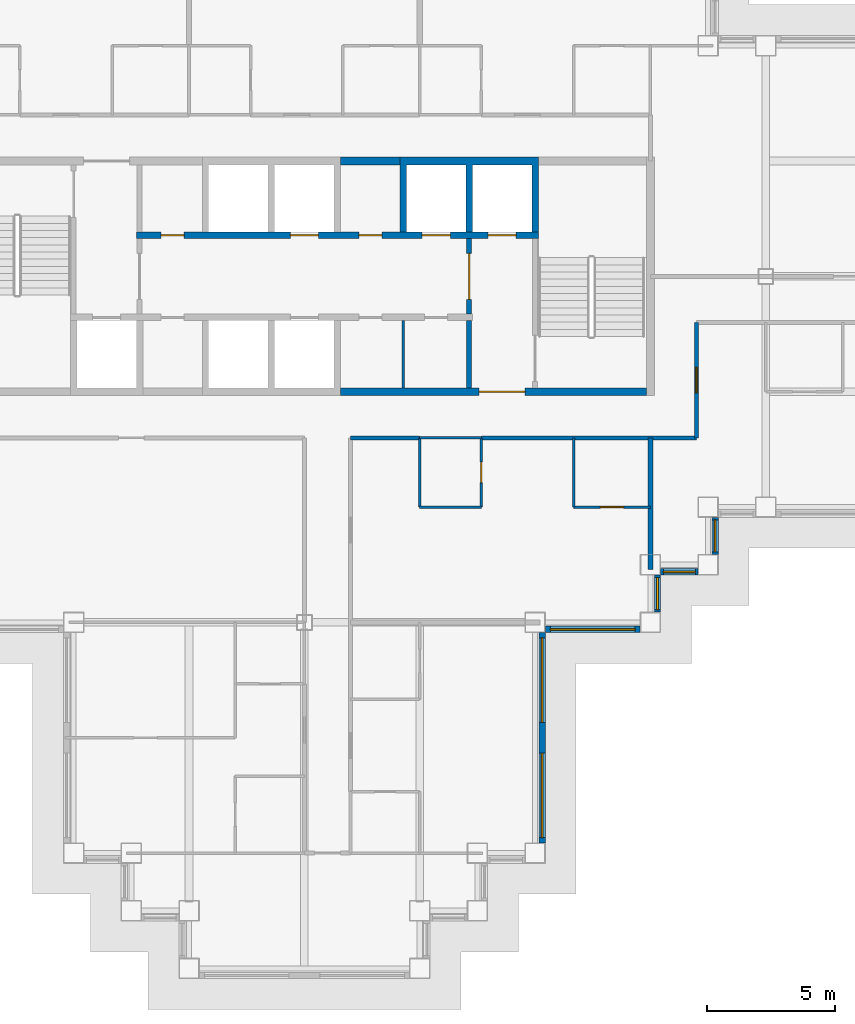
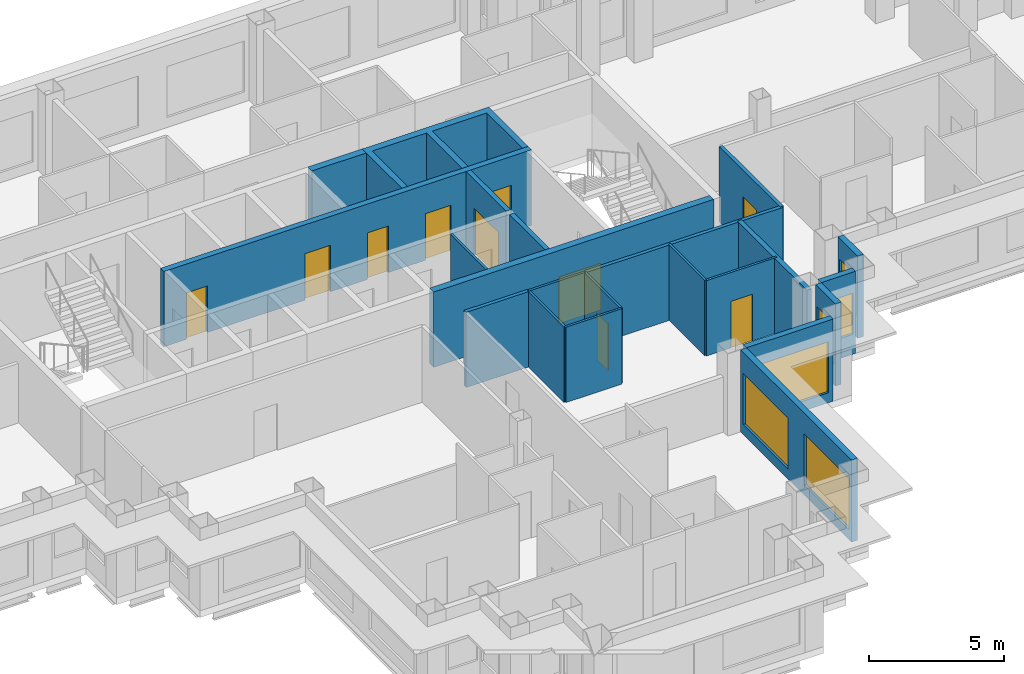
# One storey, part 6 of 13: 22 walls, 10 doors, 6 windows, 16 openings.
"""IFC4 building model written with IfcOpenShell, lengths in metres."""

import ifcopenshell
import ifcopenshell.guid

model = None  # the IFC model being written
_history = None  # IfcOwnerHistory: only IFC2X3 demands one
_inside = {}  # id of a spatial element -> (the spatial element, [elements in it])
_under = {}  # id of a project, library or spatial element -> (it, [spatial elements below it])
_declared = {}  # id of a project -> (the project, [libraries it declares])
_typed = {}  # id of a type object -> (the type object, [elements of that type])
_made_of = {}  # id of a material, layer set ... -> (it, [elements and type objects made of it])


def new_model(schema):
    """Start an empty IFC model of exactly this schema.

    Asked for "IFC4X3", IfcOpenShell would pick the latest addendum, in which some entities
    have other attributes; the version numbers below select the first issue.
    IFC2X3 requires an IfcOwnerHistory on every rooted entity: one is made here for all.
    """
    global model, _history
    if schema == "IFC4X3":
        model = ifcopenshell.file(schema_version=(4, 3, 0, 0))
    else:
        model = ifcopenshell.file(schema=schema)
    _inside.clear()
    _under.clear()
    _declared.clear()
    _typed.clear()
    _made_of.clear()
    _history = None
    if model.schema == "IFC2X3":
        org = make("IfcOrganization", Name="unknown")
        user = make(
            "IfcPersonAndOrganization",
            ThePerson=make("IfcPerson", FamilyName="unknown"),
            TheOrganization=org,
        )
        app = make(
            "IfcApplication",
            ApplicationDeveloper=org,
            Version="unknown",
            ApplicationFullName="unknown",
            ApplicationIdentifier="unknown",
        )
        _history = make(
            "IfcOwnerHistory",
            OwningUser=user,
            OwningApplication=app,
            ChangeAction="ADDED",
            CreationDate=0,
        )
    return model


def make(cls, **values):
    """One entity of the class cls with the attributes given. An attribute that is None is left unset."""
    return model.create_entity(
        cls, **{name: value for name, value in values.items() if value is not None}
    )


def rooted(cls, **values):
    """An entity with a GlobalId (a new one), such as an element, a storey or a relation."""
    return make(cls, GlobalId=ifcopenshell.guid.new(), OwnerHistory=_history, **values)


def si_unit(unit_type, name, prefix=None):
    """IfcSIUnit, for example si_unit("LENGTHUNIT", "METRE", prefix="MILLI")."""
    return make("IfcSIUnit", UnitType=unit_type, Prefix=prefix, Name=name)


def assignment(units):
    """IfcUnitAssignment: the units of a project."""
    return None if units is None else make("IfcUnitAssignment", Units=units)


def point(xyz):
    """IfcCartesianPoint."""
    return None if xyz is None else make("IfcCartesianPoint", Coordinates=xyz)


def direction(xyz):
    """IfcDirection."""
    return None if xyz is None else make("IfcDirection", DirectionRatios=xyz)


def frame(location, z_axis=None, x_axis=None):
    """IfcAxis2Placement3D, a coordinate frame: its origin and axes. An axis left out is left unset."""
    return make(
        "IfcAxis2Placement3D",
        Location=point(location),
        Axis=direction(z_axis),
        RefDirection=direction(x_axis),
    )


def frame_2d(location, x_axis=None):
    """IfcAxis2Placement2D, a coordinate frame in the plane: its origin and x axis."""
    return make(
        "IfcAxis2Placement2D", Location=point(location), RefDirection=direction(x_axis)
    )


def origin():
    """The frame at (0, 0, 0) with its axes left unset."""
    return frame((0.0, 0.0, 0.0))


def place(relative_to, where):
    """IfcLocalPlacement: puts the frame where relative to a parent placement (None: the world)."""
    return make(
        "IfcLocalPlacement", PlacementRelTo=relative_to, RelativePlacement=where
    )


def context(
    kind, dimensions, precision=None, world=None, true_north=None, identifier=None
):
    """IfcGeometricRepresentationContext, for example the 3D "Model" context."""
    return make(
        "IfcGeometricRepresentationContext",
        ContextIdentifier=identifier,
        ContextType=kind,
        CoordinateSpaceDimension=dimensions,
        Precision=precision,
        WorldCoordinateSystem=world,
        TrueNorth=true_north,
    )


def subcontext(parent, identifier, kind, view, scale=None):
    """IfcGeometricRepresentationSubContext, for example "Body" below "Model"."""
    return make(
        "IfcGeometricRepresentationSubContext",
        ContextIdentifier=identifier,
        ContextType=kind,
        ParentContext=parent,
        TargetScale=scale,
        TargetView=view,
    )


def project(units=None, contexts=None):
    """IfcProject with its units and contexts."""
    return rooted(
        "IfcProject",
        Name="project",
        RepresentationContexts=contexts,
        UnitsInContext=assignment(units),
    )


def spatial(cls, under=None, at=None, **own):
    """A site, building, storey or space (cls), placed at a placement, below another one or the project."""
    s = rooted(cls, ObjectPlacement=at, **own)
    if under is not None:
        _under.setdefault(under.id(), (under, []))[1].append(s)
    return s


def polyline(points):
    """IfcPolyline through the points."""
    return make("IfcPolyline", Points=[point(p) for p in points])


def profile(cls, at=None, kind="AREA", **sizes):
    """A parametric profile (cls). Its sizes go by their IFC names, for example OverallWidth=200.0."""
    return make(cls, ProfileType=kind, Position=at, **sizes)


def rectangle(**sizes):
    """IfcRectangleProfileDef."""
    return profile("IfcRectangleProfileDef", **sizes)


def outline(outer, holes=None, kind="AREA"):
    """IfcArbitraryClosedProfileDef: a profile drawn as a closed curve; with holes, ...WithVoids."""
    if holes is None:
        return make("IfcArbitraryClosedProfileDef", ProfileType=kind, OuterCurve=outer)
    return make(
        "IfcArbitraryProfileDefWithVoids",
        ProfileType=kind,
        OuterCurve=outer,
        InnerCurves=holes,
    )


def extrude(swept, where, along, depth):
    """IfcExtrudedAreaSolid: the profile swept, set in the frame where, extruded along a direction by depth."""
    return make(
        "IfcExtrudedAreaSolid",
        SweptArea=swept,
        Position=where,
        ExtrudedDirection=direction(along),
        Depth=depth,
    )


def shape(context_of_items, identifier, shape_type, items):
    """IfcShapeRepresentation: the items that make up one representation, for example the "Body"."""
    return make(
        "IfcShapeRepresentation",
        ContextOfItems=context_of_items,
        RepresentationIdentifier=identifier,
        RepresentationType=shape_type,
        Items=items,
    )


def material(Name=None, Category=None):
    """IfcMaterial."""
    return make("IfcMaterial", Name=Name, Category=Category)


def layer(
    of_material, thickness, ventilated=None, Name=None, Category=None, Priority=None
):
    """IfcMaterialLayer: one layer of a wall or slab, of a material (None: an air gap)."""
    return make(
        "IfcMaterialLayer",
        Material=of_material,
        LayerThickness=thickness,
        IsVentilated=ventilated,
        Name=Name,
        Category=Category,
        Priority=Priority,
    )


def layer_set(layers, Name=None):
    """IfcMaterialLayerSet."""
    return make("IfcMaterialLayerSet", MaterialLayers=layers, LayerSetName=Name)


def made_of(thing, what):
    """Note that an element or type object is made of a material, layer set ...; save() writes the relation."""
    if what is not None:
        _made_of.setdefault(what.id(), (what, []))[1].append(thing)
    return thing


def type_object(cls, material=None, **own):
    """A type object (cls), such as IfcWallType, which elements share."""
    return made_of(rooted(cls, **own), material)


def element(
    cls,
    number,
    at=None,
    inside=None,
    cuts=None,
    type_object=None,
    material=None,
    context=None,
    identifier="Body",
    shape_type=None,
    held_by="IfcProductDefinitionShape",
    body=None,
    shapes=None,
    **own,
):
    """One element of the class cls, such as IfcWall. Its Tag is "e" and its number.

    at: its placement. inside: the storey or other place that contains it. cuts: it is an
    opening in that element (IfcRelVoidsElement). A single representation is given by context,
    identifier, shape_type and body (its items); several are given by shapes. held_by: the class
    of the entity that holds the representations. save() writes the other relations.
    """
    e = rooted(cls, Tag="e%d" % number, ObjectPlacement=at, **own)
    if body is not None:
        shapes = [shape(context, identifier, shape_type, body)]
    if shapes is not None:
        e.Representation = make(held_by, Representations=shapes)
    if inside is not None:
        _inside.setdefault(inside.id(), (inside, []))[1].append(e)
    if cuts is not None:
        rooted(
            "IfcRelVoidsElement", RelatingBuildingElement=cuts, RelatedOpeningElement=e
        )
    if type_object is not None:
        _typed.setdefault(type_object.id(), (type_object, []))[1].append(e)
    return made_of(e, material)


def fill(opening, filler):
    """IfcRelFillsElement: the door or window that sits in an opening."""
    return rooted(
        "IfcRelFillsElement",
        RelatingOpeningElement=opening,
        RelatedBuildingElement=filler,
    )


def aggregate(whole, parts):
    """IfcRelAggregates: a whole, such as a stair, and the parts it consists of."""
    return rooted("IfcRelAggregates", RelatingObject=whole, RelatedObjects=parts)


def save(model, path):
    """Write the relations noted so far, then the file.

    IfcRelAggregates (storeys below a building ...), IfcRelContainedInSpatialStructure (elements
    in a storey), IfcRelDefinesByType, IfcRelAssociatesMaterial and IfcRelDeclares: one each for
    every whole, place, type object, material and project.
    """
    for whole, parts in _under.values():
        aggregate(whole, parts)
    for where, things in _inside.values():
        rooted(
            "IfcRelContainedInSpatialStructure",
            RelatedElements=things,
            RelatingStructure=where,
        )
    for kind, things in _typed.values():
        rooted("IfcRelDefinesByType", RelatedObjects=things, RelatingType=kind)
    for what, things in _made_of.values():
        rooted("IfcRelAssociatesMaterial", RelatedObjects=things, RelatingMaterial=what)
    for by, libraries in _declared.values():
        rooted("IfcRelDeclares", RelatingContext=by, RelatedDefinitions=libraries)
    model.write(path)


model = new_model("IFC4")

# Units and contexts
model_context = context("Model", 3, precision=1e-05, world=origin(), true_north=direction((0.0, 1.0)))
body_context = subcontext(model_context, "Body", "Model", "MODEL_VIEW")
ifc_project = project(units=[si_unit("LENGTHUNIT", "METRE"), si_unit("AREAUNIT", "SQUARE_METRE"), si_unit("VOLUMEUNIT", "CUBIC_METRE"), si_unit("PLANEANGLEUNIT", "RADIAN"), si_unit("MASSUNIT", "GRAM", prefix="KILO")], contexts=[model_context])

# Site, building, storey
site_placement = place(None, origin())
site = spatial("IfcSite", under=ifc_project, at=site_placement, CompositionType="ELEMENT")
building_placement = place(site_placement, origin())
building = spatial("IfcBuilding", under=site, at=building_placement, Name="Caravel Reach Hotel and Residences", CompositionType="ELEMENT")
storey_placement = place(building_placement, frame((0.0, 0.0, 158.0)))
storey = spatial("IfcBuildingStorey", under=building, at=storey_placement, Name="L39", CompositionType="ELEMENT", Elevation=158.0)

# Walls
ifc_material_1 = material(Name="Gypsum board on steel stud", Category="steel")
ifc_layer_1 = layer(ifc_material_1, 0.10009765625)
ifc_layer_set_1 = layer_set([ifc_layer_1], Name="Bathroom pod wall 100 mm")
wall_type_1 = type_object("IfcWallType", Name="Bathroom pod wall 100 mm", PredefinedType="PARTITIONING", material=ifc_layer_set_1)
for number, where, z_axis, x_axis, name in (
    (1, (36.0, 18.0, 0.0), (0.0, 0.0, 1.0), (1.0, 0.0, 0.0), "L39 wall w082"),
    (2, (36.0, 20.699951171875, 0.0), (0.0, 0.0, 1.0), (1.0, 0.0, 0.0), "L39 wall w083"),
):
    element("IfcWall", number, at=place(storey_placement, frame(where, z_axis=z_axis, x_axis=x_axis)), inside=storey, type_object=wall_type_1, Name=name, PredefinedType="PARTITIONING", context=body_context, shape_type="SweptSolid", body=[
        extrude(rectangle(XDim=2.39990234375, YDim=0.10009765625, at=frame_2d((1.199951171875, 0.0))), origin(), (0.0, 0.0, 1.0), 3.39990234375),
    ])
wall_1_placement = place(storey_placement, frame((36.0, 18.0, 0.0), z_axis=(0.0, 0.0, 1.0), x_axis=(0.0, 1.0, 0.0)))
element("IfcWall", 3, at=wall_1_placement, inside=storey, type_object=wall_type_1, Name="L39 wall w107", PredefinedType="PARTITIONING", context=body_context, shape_type="SweptSolid", body=[
    extrude(rectangle(XDim=2.698974609375, YDim=0.10009765625, at=frame_2d((1.349609375, 0.0))), origin(), (0.0, 0.0, 1.0), 3.39990234375),
])

# Wall, opening, door
wall_2_placement = place(storey_placement, frame((38.39990234375, 18.0, 0.0), z_axis=(0.0, 0.0, 1.0), x_axis=(0.0, 1.0, 0.0)))
wall_2 = element("IfcWall", 4, at=wall_2_placement, inside=storey, type_object=wall_type_1, Name="L39 wall w109", PredefinedType="PARTITIONING", context=body_context, shape_type="SweptSolid", body=[
    extrude(rectangle(XDim=2.699951171875, YDim=0.10009765625, at=frame_2d((1.35009765625, 0.0))), origin(), (0.0, 0.0, 1.0), 3.39990234375),
])
opening_1_placement = place(wall_2_placement, frame((0.949951171875, 0.0, 0.0)))
opening_1 = element("IfcOpeningElement", 5, at=opening_1_placement, cuts=wall_2, Name="Opening D39-037", PredefinedType="OPENING", context=body_context, shape_type="SweptSolid", body=[
    extrude(rectangle(XDim=0.800048828125, YDim=2.10009765625, at=frame_2d((0.39990234375, 1.050048828125))), frame((0.0, 0.06005859375, 0.0), z_axis=(0.0, -1.0, 0.0), x_axis=(1.0, 0.0, 0.0)), (0.0, 0.0, 1.0), 0.1201171875),
])
ifc_material_2 = material(Name="Timber and steel door leaf", Category="steel")
door_type_1 = type_object("IfcDoorType", Name="Bathroom door 800 x 2100", OperationType="SINGLE_SWING_LEFT", PredefinedType="DOOR", material=ifc_material_2)
door_1_placement = place(opening_1_placement, origin())
door_1 = element("IfcDoor", 6, at=door_1_placement, inside=storey, type_object=door_type_1, Name="door D39-037", OperationType="SINGLE_SWING_RIGHT", OverallHeight=2.10009765625, OverallWidth=0.800048828125, PredefinedType="DOOR", context=body_context, shape_type="SweptSolid", body=[
    extrude(rectangle(XDim=0.800048828125, YDim=2.10009765625, at=frame_2d((0.39990234375, 1.050048828125))), frame((0.0, 0.02490234375, 0.0), z_axis=(0.0, -1.0, 0.0), x_axis=(1.0, 0.0, 0.0)), (0.0, 0.0, 1.0), 0.050048828125),
])
fill(opening_1, door_1)

# Wall
ifc_material_3 = material(Name="Autoclaved aerated block wall")
ifc_layer_2 = layer(ifc_material_3, 0.199951171875)
ifc_layer_set_2 = layer_set([ifc_layer_2], Name="Compartment wall 200 mm EI 120")
wall_type_2 = type_object("IfcWallType", Name="Compartment wall 200 mm EI 120", PredefinedType="PARTITIONING", material=ifc_layer_set_2)
wall_3_placement = place(storey_placement, frame((37.928466796875, 22.64990234375, 0.0), z_axis=(0.0, 0.0, 1.0), x_axis=(0.0, 1.0, 0.0)))
element("IfcWall", 7, at=wall_3_placement, inside=storey, type_object=wall_type_2, Name="L39 store partition", PredefinedType="PARTITIONING", context=body_context, shape_type="SweptSolid", body=[
    extrude(rectangle(XDim=2.625, YDim=0.199951171875, at=frame_2d((1.3125, 0.0))), origin(), (0.0, 0.0, 1.0), 3.39990234375),
])

# Wall, opening, door
ifc_material_4 = material(Name="Concrete C60", Category="concrete")
ifc_layer_3 = layer(ifc_material_4, 0.300048828125)
ifc_layer_set_3 = layer_set([ifc_layer_3], Name="Core wall 300 mm EI 120")
wall_type_3 = type_object("IfcWallType", Name="Core wall 300 mm EI 120", PredefinedType="SHEAR", material=ifc_layer_set_3)
wall_4_placement = place(storey_placement, frame((32.91064453125, 22.5, 0.0), z_axis=(0.0, 0.0, 1.0), x_axis=(1.0, 0.0, 0.0)))
wall_4 = element("IfcWall", 8, at=wall_4_placement, inside=storey, type_object=wall_type_3, Name="L39 core wall S3", PredefinedType="SHEAR", context=body_context, shape_type="SweptSolid", body=[
    extrude(rectangle(XDim=11.939453125, YDim=0.300048828125, at=frame_2d((5.9697265625, 0.0))), origin(), (0.0, 0.0, 1.0), 3.39990234375),
])
opening_2_placement = place(wall_4_placement, frame((5.403564453125, 0.0, 0.0)))
opening_2 = element("IfcOpeningElement", 9, at=opening_2_placement, cuts=wall_4, Name="Opening D39-016", PredefinedType="OPENING", context=body_context, shape_type="SweptSolid", body=[
    extrude(rectangle(XDim=1.800048828125, YDim=2.10009765625, at=frame_2d((0.89990234375, 1.050048828125))), frame((0.0, 0.159912109375, 0.0), z_axis=(0.0, -1.0, 0.0), x_axis=(1.0, 0.0, 0.0)), (0.0, 0.0, 1.0), 0.320068359375),
])
ifc_material_5 = material(Name="Steel fire door leaf", Category="steel")
door_type_2 = type_object("IfcDoorType", Name="Fire lobby door pair 1800 x 2100 EI 90", OperationType="DOUBLE_DOOR_SINGLE_SWING", PredefinedType="DOOR", material=ifc_material_5)
door_2_placement = place(opening_2_placement, origin())
door_2 = element("IfcDoor", 10, at=door_2_placement, inside=storey, type_object=door_type_2, Name="lobby S door pair to corridor", OperationType="DOUBLE_DOOR_SINGLE_SWING", OverallHeight=2.10009765625, OverallWidth=1.800048828125, PredefinedType="DOOR", context=body_context, shape_type="SweptSolid", body=[
    extrude(rectangle(XDim=1.800048828125, YDim=2.10009765625, at=frame_2d((0.89990234375, 1.050048828125))), frame((0.0, 0.02490234375, 0.0), z_axis=(0.0, -1.0, 0.0), x_axis=(1.0, 0.0, 0.0)), (0.0, 0.0, 1.0), 0.050048828125),
])
fill(opening_2, door_2)

# Walls
wall_5_placement = place(storey_placement, frame((32.91064453125, 31.5, 0.0), z_axis=(0.0, 0.0, 1.0), x_axis=(1.0, 0.0, 0.0)))
element("IfcWall", 11, at=wall_5_placement, inside=storey, type_object=wall_type_3, Name="L39 core wall N2", PredefinedType="SHEAR", context=body_context, shape_type="SweptSolid", body=[
    extrude(rectangle(XDim=2.321533203125, YDim=0.300048828125, at=frame_2d((1.16064453125, 0.0))), origin(), (0.0, 0.0, 1.0), 3.39990234375),
])
ifc_material_6 = material(Name="Gypsum board on steel stud, fire-rated", Category="steel")
ifc_layer_4 = layer(ifc_material_6, 0.14990234375)
ifc_layer_set_4 = layer_set([ifc_layer_4], Name="Corridor wall 150 mm EI 60")
wall_type_4 = type_object("IfcWallType", Name="Corridor wall 150 mm EI 60", PredefinedType="PARTITIONING", material=ifc_layer_set_4)
wall_6_placement = place(storey_placement, frame((33.301025390625, 20.699951171875, 0.0), z_axis=(0.0, 0.0, 1.0), x_axis=(1.0, 0.0, 0.0)))
element("IfcWall", 12, at=wall_6_placement, inside=storey, type_object=wall_type_4, Name="L39 wall w002", PredefinedType="PARTITIONING", context=body_context, shape_type="SweptSolid", body=[
    extrude(rectangle(XDim=2.697998046875, YDim=0.14990234375, at=frame_2d((1.34912109375, 0.0))), origin(), (0.0, 0.0, 1.0), 3.39990234375),
])
wall_7_placement = place(storey_placement, frame((38.39990234375, 20.699951171875, 0.0), z_axis=(0.0, 0.0, 1.0), x_axis=(1.0, 0.0, 0.0)))
element("IfcWall", 13, at=wall_7_placement, inside=storey, type_object=wall_type_4, Name="L39 wall w003", PredefinedType="PARTITIONING", context=body_context, shape_type="SweptSolid", body=[
    extrude(rectangle(XDim=8.400146484375, YDim=0.14990234375, at=frame_2d((4.2001953125, 0.0))), origin(), (0.0, 0.0, 1.0), 3.39990234375),
])

# Wall, opening, door
wall_8_placement = place(storey_placement, frame((46.800048828125, 20.699951171875, 0.0), z_axis=(0.0, 0.0, 1.0), x_axis=(0.0, 1.0, 0.0)))
wall_8 = element("IfcWall", 14, at=wall_8_placement, inside=storey, type_object=wall_type_4, Name="L39 wall w032", PredefinedType="PARTITIONING", context=body_context, shape_type="SweptSolid", body=[
    extrude(rectangle(XDim=4.4990234375, YDim=0.14990234375, at=frame_2d((2.24951171875, 0.0))), origin(), (0.0, 0.0, 1.0), 3.39990234375),
])
opening_3_placement = place(wall_8_placement, frame((1.74951171875, 0.0, 0.0)))
opening_3 = element("IfcOpeningElement", 15, at=opening_3_placement, cuts=wall_8, Name="Opening D39-031", PredefinedType="OPENING", context=body_context, shape_type="SweptSolid", body=[
    extrude(rectangle(XDim=1.0, YDim=2.199951171875, at=frame_2d((0.5, 1.10009765625))), frame((0.0, 0.0849609375, 0.0), z_axis=(0.0, -1.0, 0.0), x_axis=(1.0, 0.0, 0.0)), (0.0, 0.0, 1.0), 0.169921875),
])
ifc_material_7 = material(Name="Steel fire door leaf", Category="steel")
door_type_3 = type_object("IfcDoorType", Name="Flat entrance door 1000 x 2200 EI 60", OperationType="SINGLE_SWING_LEFT", PredefinedType="DOOR", material=ifc_material_7)
door_3_placement = place(opening_3_placement, origin())
door_3 = element("IfcDoor", 16, at=door_3_placement, inside=storey, type_object=door_type_3, Name="door D39-031", OperationType="SINGLE_SWING_LEFT", OverallHeight=2.199951171875, OverallWidth=1.0, PredefinedType="DOOR", context=body_context, shape_type="SweptSolid", body=[
    extrude(rectangle(XDim=1.0, YDim=2.199951171875, at=frame_2d((0.5, 1.10009765625))), frame((0.0, 0.02490234375, 0.0), z_axis=(0.0, -1.0, 0.0), x_axis=(1.0, 0.0, 0.0)), (0.0, 0.0, 1.0), 0.050048828125),
])
fill(opening_3, door_3)

# Wall, openings, windows
ifc_material_8 = material(Name="Insulated rainscreen wall, aluminium cladding", Category="aluminium")
ifc_layer_5 = layer(ifc_material_8, 0.25)
ifc_layer_set_5 = layer_set([ifc_layer_5], Name="EW1 Tower rainscreen wall")
wall_type_5 = type_object("IfcWallType", Name="EW1 Tower rainscreen wall", PredefinedType="SOLIDWALL", material=ifc_layer_set_5)
wall_9_placement = place(storey_placement, frame((40.77490234375, 4.89990234375, 0.0), z_axis=(0.0, 0.0, 1.0), x_axis=(0.0, 1.0, 0.0)))
wall_9 = element("IfcWall", 17, at=wall_9_placement, inside=storey, type_object=wall_type_5, Name="External wall L39 E10.1", PredefinedType="SOLIDWALL", context=body_context, shape_type="SweptSolid", body=[
    extrude(rectangle(XDim=8.2001953125, YDim=0.25, at=frame_2d((4.10009765625, 0.0))), origin(), (0.0, 0.0, 1.0), 3.699951171875),
])
opening_4_placement = place(wall_9_placement, frame((0.199951171875, 0.0, 0.449951171875)))
opening_4 = element("IfcOpeningElement", 18, at=opening_4_placement, cuts=wall_9, Name="Opening WN15", PredefinedType="OPENING", context=body_context, shape_type="SweptSolid", body=[
    extrude(rectangle(XDim=3.300048828125, YDim=2.300048828125, at=frame_2d((1.64990234375, 1.14990234375))), frame((0.0, 0.135009765625, 0.0), z_axis=(0.0, -1.0, 0.0), x_axis=(1.0, 0.0, 0.0)), (0.0, 0.0, 1.0), 0.27001953125),
])
opening_5_placement = place(wall_9_placement, frame((4.699951171875, 0.0, 0.449951171875)))
opening_5 = element("IfcOpeningElement", 19, at=opening_5_placement, cuts=wall_9, Name="Opening WN15", PredefinedType="OPENING", context=body_context, shape_type="SweptSolid", body=[
    extrude(rectangle(XDim=3.300048828125, YDim=2.300048828125, at=frame_2d((1.64990234375, 1.14990234375))), frame((0.0, 0.135009765625, 0.0), z_axis=(0.0, -1.0, 0.0), x_axis=(1.0, 0.0, 0.0)), (0.0, 0.0, 1.0), 0.27001953125),
])
ifc_material_9 = material(Name="Dark low-e glazing in black aluminium frame", Category="aluminium")
window_type_1 = type_object("IfcWindowType", Name="Residence living window 3300 x 2300", PartitioningType="SINGLE_PANEL", PredefinedType="WINDOW", material=ifc_material_9)
window_1_placement = place(opening_4_placement, origin())
window_1 = element("IfcWindow", 20, at=window_1_placement, inside=storey, type_object=window_type_1, Name="Window L39 E10.1.1", OverallHeight=2.300048828125, OverallWidth=3.300048828125, PartitioningType="SINGLE_PANEL", PredefinedType="WINDOW", context=body_context, shape_type="SweptSolid", body=[
    extrude(rectangle(XDim=3.300048828125, YDim=2.300048828125, at=frame_2d((1.64990234375, 1.14990234375))), frame((0.0, 0.030029296875, 0.0), z_axis=(0.0, -1.0, 0.0), x_axis=(1.0, 0.0, 0.0)), (0.0, 0.0, 1.0), 0.06005859375),
])
fill(opening_4, window_1)
window_2_placement = place(opening_5_placement, origin())
window_2 = element("IfcWindow", 21, at=window_2_placement, inside=storey, type_object=window_type_1, Name="Window L39 E10.1.2", OverallHeight=2.300048828125, OverallWidth=3.300048828125, PartitioningType="SINGLE_PANEL", PredefinedType="WINDOW", context=body_context, shape_type="SweptSolid", body=[
    extrude(rectangle(XDim=3.300048828125, YDim=2.300048828125, at=frame_2d((1.64990234375, 1.14990234375))), frame((0.0, 0.030029296875, 0.0), z_axis=(0.0, -1.0, 0.0), x_axis=(1.0, 0.0, 0.0)), (0.0, 0.0, 1.0), 0.06005859375),
])
fill(opening_5, window_2)

# Wall, opening, window
wall_10_placement = place(storey_placement, frame((40.89990234375, 13.22509765625, 0.0), z_axis=(0.0, 0.0, 1.0), x_axis=(1.0, 0.0, 0.0)))
wall_10 = element("IfcWall", 22, at=wall_10_placement, inside=storey, type_object=wall_type_5, Name="External wall L39 S11.1", PredefinedType="SOLIDWALL", context=body_context, shape_type="SweptSolid", body=[
    extrude(rectangle(XDim=3.7001953125, YDim=0.25, at=frame_2d((1.85009765625, 0.0))), origin(), (0.0, 0.0, 1.0), 3.699951171875),
])
opening_6_placement = place(wall_10_placement, frame((0.199951171875, 0.0, 0.449951171875)))
opening_6 = element("IfcOpeningElement", 23, at=opening_6_placement, cuts=wall_10, Name="Opening WN15", PredefinedType="OPENING", context=body_context, shape_type="SweptSolid", body=[
    extrude(rectangle(XDim=3.300048828125, YDim=2.300048828125, at=frame_2d((1.64990234375, 1.14990234375))), frame((0.0, 0.135009765625, 0.0), z_axis=(0.0, -1.0, 0.0), x_axis=(1.0, 0.0, 0.0)), (0.0, 0.0, 1.0), 0.27001953125),
])
window_3_placement = place(opening_6_placement, origin())
window_3 = element("IfcWindow", 24, at=window_3_placement, inside=storey, type_object=window_type_1, Name="Window L39 S11.1.1", OverallHeight=2.300048828125, OverallWidth=3.300048828125, PartitioningType="SINGLE_PANEL", PredefinedType="WINDOW", context=body_context, shape_type="SweptSolid", body=[
    extrude(rectangle(XDim=3.300048828125, YDim=2.300048828125, at=frame_2d((1.64990234375, 1.14990234375))), frame((0.0, 0.030029296875, 0.0), z_axis=(0.0, -1.0, 0.0), x_axis=(1.0, 0.0, 0.0)), (0.0, 0.0, 1.0), 0.06005859375),
])
fill(opening_6, window_3)

wall_11_placement = place(storey_placement, frame((45.27490234375, 13.89990234375, 0.0), z_axis=(0.0, 0.0, 1.0), x_axis=(0.0, 1.0, 0.0)))
wall_11 = element("IfcWall", 25, at=wall_11_placement, inside=storey, type_object=wall_type_5, Name="External wall L39 E12.1", PredefinedType="SOLIDWALL", context=body_context, shape_type="SweptSolid", body=[
    extrude(rectangle(XDim=1.4501953125, YDim=0.25, at=frame_2d((0.72509765625, 0.0))), origin(), (0.0, 0.0, 1.0), 3.699951171875),
])
opening_7_placement = place(wall_11_placement, frame((0.10009765625, 0.0, 0.89990234375)))
opening_7 = element("IfcOpeningElement", 26, at=opening_7_placement, cuts=wall_11, Name="Opening WN13", PredefinedType="OPENING", context=body_context, shape_type="SweptSolid", body=[
    extrude(rectangle(XDim=1.25, YDim=1.85009765625, at=frame_2d((0.625, 0.925048828125))), frame((0.0, 0.135009765625, 0.0), z_axis=(0.0, -1.0, 0.0), x_axis=(1.0, 0.0, 0.0)), (0.0, 0.0, 1.0), 0.27001953125),
])
ifc_material_10 = material(Name="Dark low-e glazing in black aluminium frame", Category="aluminium")
window_type_2 = type_object("IfcWindowType", Name="Residence bedroom window 1250 x 1850", PartitioningType="SINGLE_PANEL", PredefinedType="WINDOW", material=ifc_material_10)
window_4_placement = place(opening_7_placement, origin())
window_4 = element("IfcWindow", 27, at=window_4_placement, inside=storey, type_object=window_type_2, Name="Window L39 E12.1.1", OverallHeight=1.85009765625, OverallWidth=1.25, PartitioningType="SINGLE_PANEL", PredefinedType="WINDOW", context=body_context, shape_type="SweptSolid", body=[
    extrude(rectangle(XDim=1.25, YDim=1.85009765625, at=frame_2d((0.625, 0.925048828125))), frame((0.0, 0.030029296875, 0.0), z_axis=(0.0, -1.0, 0.0), x_axis=(1.0, 0.0, 0.0)), (0.0, 0.0, 1.0), 0.06005859375),
])
fill(opening_7, window_4)

wall_12_placement = place(storey_placement, frame((45.39990234375, 15.47509765625, 0.0), z_axis=(0.0, 0.0, 1.0), x_axis=(1.0, 0.0, 0.0)))
wall_12 = element("IfcWall", 28, at=wall_12_placement, inside=storey, type_object=wall_type_5, Name="External wall L39 S13.1", PredefinedType="SOLIDWALL", context=body_context, shape_type="SweptSolid", body=[
    extrude(rectangle(XDim=1.4501953125, YDim=0.25, at=frame_2d((0.72509765625, 0.0))), origin(), (0.0, 0.0, 1.0), 3.699951171875),
])
opening_8_placement = place(wall_12_placement, frame((0.10009765625, 0.0, 0.89990234375)))
opening_8 = element("IfcOpeningElement", 29, at=opening_8_placement, cuts=wall_12, Name="Opening WN13", PredefinedType="OPENING", context=body_context, shape_type="SweptSolid", body=[
    extrude(rectangle(XDim=1.25, YDim=1.85009765625, at=frame_2d((0.625, 0.925048828125))), frame((0.0, 0.135009765625, 0.0), z_axis=(0.0, -1.0, 0.0), x_axis=(1.0, 0.0, 0.0)), (0.0, 0.0, 1.0), 0.27001953125),
])
window_5_placement = place(opening_8_placement, origin())
window_5 = element("IfcWindow", 30, at=window_5_placement, inside=storey, type_object=window_type_2, Name="Window L39 S13.1.1", OverallHeight=1.85009765625, OverallWidth=1.25, PartitioningType="SINGLE_PANEL", PredefinedType="WINDOW", context=body_context, shape_type="SweptSolid", body=[
    extrude(rectangle(XDim=1.25, YDim=1.85009765625, at=frame_2d((0.625, 0.925048828125))), frame((0.0, 0.030029296875, 0.0), z_axis=(0.0, -1.0, 0.0), x_axis=(1.0, 0.0, 0.0)), (0.0, 0.0, 1.0), 0.06005859375),
])
fill(opening_8, window_5)

wall_13_placement = place(storey_placement, frame((47.52490234375, 16.14990234375, 0.0), z_axis=(0.0, 0.0, 1.0), x_axis=(0.0, 1.0, 0.0)))
wall_13 = element("IfcWall", 31, at=wall_13_placement, inside=storey, type_object=wall_type_5, Name="External wall L39 E14.1", PredefinedType="SOLIDWALL", context=body_context, shape_type="SweptSolid", body=[
    extrude(rectangle(XDim=1.4501953125, YDim=0.25, at=frame_2d((0.72509765625, 0.0))), origin(), (0.0, 0.0, 1.0), 3.699951171875),
])
opening_9_placement = place(wall_13_placement, frame((0.10009765625, 0.0, 0.89990234375)))
opening_9 = element("IfcOpeningElement", 32, at=opening_9_placement, cuts=wall_13, Name="Opening WN13", PredefinedType="OPENING", context=body_context, shape_type="SweptSolid", body=[
    extrude(rectangle(XDim=1.25, YDim=1.85009765625, at=frame_2d((0.625, 0.925048828125))), frame((0.0, 0.135009765625, 0.0), z_axis=(0.0, -1.0, 0.0), x_axis=(1.0, 0.0, 0.0)), (0.0, 0.0, 1.0), 0.27001953125),
])
window_6_placement = place(opening_9_placement, origin())
window_6 = element("IfcWindow", 33, at=window_6_placement, inside=storey, type_object=window_type_2, Name="Window L39 E14.1.1", OverallHeight=1.85009765625, OverallWidth=1.25, PartitioningType="SINGLE_PANEL", PredefinedType="WINDOW", context=body_context, shape_type="SweptSolid", body=[
    extrude(rectangle(XDim=1.25, YDim=1.85009765625, at=frame_2d((0.625, 0.925048828125))), frame((0.0, 0.030029296875, 0.0), z_axis=(0.0, -1.0, 0.0), x_axis=(1.0, 0.0, 0.0)), (0.0, 0.0, 1.0), 0.06005859375),
])
fill(opening_9, window_6)

# Wall, opening, door
ifc_material_11 = material(Name="Autoclaved aerated block wall")
ifc_layer_6 = layer(ifc_material_11, 0.199951171875)
ifc_layer_set_6 = layer_set([ifc_layer_6], Name="Fire lobby wall 200 mm EI 120")
wall_type_6 = type_object("IfcWallType", Name="Fire lobby wall 200 mm EI 120", PredefinedType="PARTITIONING", material=ifc_layer_set_6)
wall_14_placement = place(storey_placement, frame((37.928466796875, 25.52490234375, 0.0), z_axis=(0.0, 0.0, 1.0), x_axis=(0.0, 1.0, 0.0)))
wall_14 = element("IfcWall", 34, at=wall_14_placement, inside=storey, type_object=wall_type_6, Name="L39 lobby E wall", PredefinedType="PARTITIONING", context=body_context, shape_type="SweptSolid", body=[
    extrude(rectangle(XDim=2.9501953125, YDim=0.199951171875, at=frame_2d((1.47509765625, 0.0))), origin(), (0.0, 0.0, 1.0), 3.39990234375),
])
opening_10_placement = place(wall_14_placement, frame((0.574951171875, 0.0, 0.0)))
opening_10 = element("IfcOpeningElement", 35, at=opening_10_placement, cuts=wall_14, Name="Opening D39-014", PredefinedType="OPENING", context=body_context, shape_type="SweptSolid", body=[
    extrude(rectangle(XDim=1.800048828125, YDim=2.10009765625, at=frame_2d((0.89990234375, 1.050048828125))), frame((0.0, 0.10986328125, 0.0), z_axis=(0.0, -1.0, 0.0), x_axis=(1.0, 0.0, 0.0)), (0.0, 0.0, 1.0), 0.219970703125),
])
door_4_placement = place(opening_10_placement, origin())
door_4 = element("IfcDoor", 36, at=door_4_placement, inside=storey, type_object=door_type_2, Name="lobby E door pair", OperationType="DOUBLE_DOOR_SINGLE_SWING", OverallHeight=2.10009765625, OverallWidth=1.800048828125, PredefinedType="DOOR", context=body_context, shape_type="SweptSolid", body=[
    extrude(rectangle(XDim=1.800048828125, YDim=2.10009765625, at=frame_2d((0.89990234375, 1.050048828125))), frame((0.0, 0.02490234375, 0.0), z_axis=(0.0, -1.0, 0.0), x_axis=(1.0, 0.0, 0.0)), (0.0, 0.0, 1.0), 0.050048828125),
])
fill(opening_10, door_4)

# Wall
ifc_material_12 = material(Name="Gypsum board on steel stud", Category="steel")
ifc_layer_7 = layer(ifc_material_12, 0.10009765625)
ifc_layer_set_7 = layer_set([ifc_layer_7], Name="Partition 100 mm")
wall_type_7 = type_object("IfcWallType", Name="Partition 100 mm", PredefinedType="PARTITIONING", material=ifc_layer_set_7)
wall_15_placement = place(storey_placement, frame((35.357177734375, 22.64990234375, 0.0), z_axis=(0.0, 0.0, 1.0), x_axis=(0.0, 1.0, 0.0)))
element("IfcWall", 37, at=wall_15_placement, inside=storey, type_object=wall_type_7, Name="L39 store partition", PredefinedType="PARTITIONING", context=body_context, shape_type="SweptSolid", body=[
    extrude(rectangle(XDim=2.625, YDim=0.10009765625, at=frame_2d((1.3125, 0.0))), origin(), (0.0, 0.0, 1.0), 3.39990234375),
])

# Wall, opening, door
wall_16_placement = place(storey_placement, frame((42.0, 18.0, 0.0), z_axis=(0.0, 0.0, 1.0), x_axis=(1.0, 0.0, 0.0)))
wall_16 = element("IfcWall", 38, at=wall_16_placement, inside=storey, type_object=wall_type_7, Name="L39 wall w036", PredefinedType="PARTITIONING", context=body_context, shape_type="SweptSolid", body=[
    extrude(rectangle(XDim=3.0, YDim=0.10009765625, at=frame_2d((1.5, 0.0))), origin(), (0.0, 0.0, 1.0), 3.39990234375),
])
opening_11_placement = place(wall_16_placement, frame((1.050048828125, 0.0, 0.0)))
opening_11 = element("IfcOpeningElement", 39, at=opening_11_placement, cuts=wall_16, Name="Opening D39-038", PredefinedType="OPENING", context=body_context, shape_type="SweptSolid", body=[
    extrude(rectangle(XDim=0.89990234375, YDim=2.10009765625, at=frame_2d((0.449951171875, 1.050048828125))), frame((0.0, 0.06005859375, 0.0), z_axis=(0.0, -1.0, 0.0), x_axis=(1.0, 0.0, 0.0)), (0.0, 0.0, 1.0), 0.1201171875),
])
ifc_material_13 = material(Name="Timber and steel door leaf", Category="steel")
door_type_4 = type_object("IfcDoorType", Name="Door 900 x 2100 timber", OperationType="SINGLE_SWING_LEFT", PredefinedType="DOOR", material=ifc_material_13)
door_5_placement = place(opening_11_placement, origin())
door_5 = element("IfcDoor", 40, at=door_5_placement, inside=storey, type_object=door_type_4, Name="door D39-038", OperationType="SINGLE_SWING_RIGHT", OverallHeight=2.10009765625, OverallWidth=0.89990234375, PredefinedType="DOOR", context=body_context, shape_type="SweptSolid", body=[
    extrude(rectangle(XDim=0.89990234375, YDim=2.10009765625, at=frame_2d((0.449951171875, 1.050048828125))), frame((0.0, 0.02490234375, 0.0), z_axis=(0.0, -1.0, 0.0), x_axis=(1.0, 0.0, 0.0)), (0.0, 0.0, 1.0), 0.050048828125),
])
fill(opening_11, door_5)

# Walls
wall_17_placement = place(storey_placement, frame((42.0, 18.0, 0.0), z_axis=(0.0, 0.0, 1.0), x_axis=(0.0, 1.0, 0.0)))
element("IfcWall", 41, at=wall_17_placement, inside=storey, type_object=wall_type_7, Name="L39 wall w065", PredefinedType="PARTITIONING", context=body_context, shape_type="SweptSolid", body=[
    extrude(rectangle(XDim=2.699951171875, YDim=0.10009765625, at=frame_2d((1.35009765625, 0.0))), origin(), (0.0, 0.0, 1.0), 3.39990234375),
])
ifc_material_14 = material(Name="Autoclaved aerated block wall")
ifc_layer_8 = layer(ifc_material_14, 0.199951171875)
ifc_layer_set_8 = layer_set([ifc_layer_8], Name="Party wall 200 mm EI 60")
wall_type_8 = type_object("IfcWallType", Name="Party wall 200 mm EI 60", PredefinedType="PARTITIONING", material=ifc_layer_set_8)
wall_18_placement = place(storey_placement, frame((45.0, 15.56005859375, 0.0), z_axis=(0.0, 0.0, 1.0), x_axis=(0.0, 1.0, 0.0)))
element("IfcWall", 42, at=wall_18_placement, inside=storey, type_object=wall_type_8, Name="L39 wall w078", PredefinedType="PARTITIONING", context=body_context, shape_type="SweptSolid", body=[
    extrude(rectangle(XDim=5.138916015625, YDim=0.199951171875, at=frame_2d((2.5693359375, 0.0))), origin(), (0.0, 0.0, 1.0), 3.39990234375),
])
ifc_material_15 = material(Name="Concrete C60", Category="concrete")
ifc_layer_9 = layer(ifc_material_15, 0.25)
ifc_layer_set_9 = layer_set([ifc_layer_9], Name="Shaft wall 250 mm EI 120")
wall_type_9 = type_object("IfcWallType", Name="Shaft wall 250 mm EI 120", PredefinedType="SHEAR", material=ifc_layer_set_9)
wall_19_placement = place(storey_placement, origin())
element("IfcWall", 43, at=wall_19_placement, inside=storey, type_object=wall_type_9, Name="L39 lift shaft wall N2", PredefinedType="SHEAR", context=body_context, shape_type="SweptSolid", body=[
    extrude(outline(polyline([(35.232177734375, 28.72509765625), (35.482177734375, 28.72509765625), (35.482177734375, 31.35009765625), (37.803466796875, 31.35009765625), (37.803466796875, 28.72509765625), (38.053466796875, 28.72509765625), (38.053466796875, 31.35009765625), (40.375, 31.35009765625), (40.375, 28.72509765625), (40.625, 28.72509765625), (40.625, 31.64990234375), (35.232177734375, 31.64990234375), (35.232177734375, 28.72509765625)])), origin(), (0.0, 0.0, 1.0), 3.39990234375),
])

# Wall, openings, doors
wall_20_placement = place(storey_placement, frame((24.946533203125, 28.60009765625, 0.0), z_axis=(0.0, 0.0, 1.0), x_axis=(1.0, 0.0, 0.0)))
wall_20 = element("IfcWall", 44, at=wall_20_placement, inside=storey, type_object=wall_type_9, Name="L39 lobby wall N1", PredefinedType="SHEAR", context=body_context, shape_type="SweptSolid", body=[
    extrude(rectangle(XDim=15.678466796875, YDim=0.25, at=frame_2d((7.83935546875, 0.0))), origin(), (0.0, 0.0, 1.0), 3.39990234375),
])
opening_12_placement = place(wall_20_placement, frame((6.003662109375, 0.0, 0.0)))
opening_12 = element("IfcOpeningElement", 45, at=opening_12_placement, cuts=wall_20, Name="Opening D39-002", PredefinedType="OPENING", context=body_context, shape_type="SweptSolid", body=[
    extrude(rectangle(XDim=1.10009765625, YDim=2.10009765625, at=frame_2d((0.550048828125, 1.050048828125))), frame((0.0, 0.135009765625, 0.0), z_axis=(0.0, -1.0, 0.0), x_axis=(1.0, 0.0, 0.0)), (0.0, 0.0, 1.0), 0.27001953125),
])
opening_13_placement = place(wall_20_placement, frame((11.146484375, 0.0, 0.0)))
opening_13 = element("IfcOpeningElement", 46, at=opening_13_placement, cuts=wall_20, Name="Opening D39-003", PredefinedType="OPENING", context=body_context, shape_type="SweptSolid", body=[
    extrude(rectangle(XDim=1.10009765625, YDim=2.10009765625, at=frame_2d((0.550048828125, 1.050048828125))), frame((0.0, 0.135009765625, 0.0), z_axis=(0.0, -1.0, 0.0), x_axis=(1.0, 0.0, 0.0)), (0.0, 0.0, 1.0), 0.27001953125),
])
opening_14_placement = place(wall_20_placement, frame((13.718017578125, 0.0, 0.0)))
opening_14 = element("IfcOpeningElement", 47, at=opening_14_placement, cuts=wall_20, Name="Opening D39-005", PredefinedType="OPENING", context=body_context, shape_type="SweptSolid", body=[
    extrude(rectangle(XDim=1.10009765625, YDim=2.10009765625, at=frame_2d((0.550048828125, 1.050048828125))), frame((0.0, 0.135009765625, 0.0), z_axis=(0.0, -1.0, 0.0), x_axis=(1.0, 0.0, 0.0)), (0.0, 0.0, 1.0), 0.27001953125),
])
opening_15_placement = place(wall_20_placement, frame((0.960693359375, 0.0, 0.0)))
opening_15 = element("IfcOpeningElement", 48, at=opening_15_placement, cuts=wall_20, Name="Opening D39-009", PredefinedType="OPENING", context=body_context, shape_type="SweptSolid", body=[
    extrude(rectangle(XDim=0.89990234375, YDim=2.10009765625, at=frame_2d((0.449951171875, 1.050048828125))), frame((0.0, 0.135009765625, 0.0), z_axis=(0.0, -1.0, 0.0), x_axis=(1.0, 0.0, 0.0)), (0.0, 0.0, 1.0), 0.27001953125),
])
opening_16_placement = place(wall_20_placement, frame((8.675048828125, 0.0, 0.0)))
opening_16 = element("IfcOpeningElement", 49, at=opening_16_placement, cuts=wall_20, Name="Opening D39-010", PredefinedType="OPENING", context=body_context, shape_type="SweptSolid", body=[
    extrude(rectangle(XDim=0.89990234375, YDim=2.10009765625, at=frame_2d((0.449951171875, 1.050048828125))), frame((0.0, 0.135009765625, 0.0), z_axis=(0.0, -1.0, 0.0), x_axis=(1.0, 0.0, 0.0)), (0.0, 0.0, 1.0), 0.27001953125),
])
ifc_material_16 = material(Name="Stainless steel landing door", Category="steel")
door_type_5 = type_object("IfcDoorType", Name="Landing door LD 1100 x 2100 sliding", OperationType="DOUBLE_DOOR_SLIDING", PredefinedType="DOOR", material=ifc_material_16)
door_6_placement = place(opening_12_placement, origin())
door_6 = element("IfcDoor", 50, at=door_6_placement, inside=storey, type_object=door_type_5, Name="MP2 landing door", OperationType="DOUBLE_DOOR_SLIDING", OverallHeight=2.10009765625, OverallWidth=1.10009765625, PredefinedType="DOOR", context=body_context, shape_type="SweptSolid", body=[
    extrude(rectangle(XDim=1.10009765625, YDim=2.10009765625, at=frame_2d((0.550048828125, 1.050048828125))), frame((0.0, 0.02490234375, 0.0), z_axis=(0.0, -1.0, 0.0), x_axis=(1.0, 0.0, 0.0)), (0.0, 0.0, 1.0), 0.050048828125),
])
fill(opening_12, door_6)
door_7_placement = place(opening_13_placement, origin())
door_7 = element("IfcDoor", 51, at=door_7_placement, inside=storey, type_object=door_type_5, Name="MP3 landing door", OperationType="DOUBLE_DOOR_SLIDING", OverallHeight=2.10009765625, OverallWidth=1.10009765625, PredefinedType="DOOR", context=body_context, shape_type="SweptSolid", body=[
    extrude(rectangle(XDim=1.10009765625, YDim=2.10009765625, at=frame_2d((0.550048828125, 1.050048828125))), frame((0.0, 0.02490234375, 0.0), z_axis=(0.0, -1.0, 0.0), x_axis=(1.0, 0.0, 0.0)), (0.0, 0.0, 1.0), 0.050048828125),
])
fill(opening_13, door_7)
door_8_placement = place(opening_14_placement, origin())
door_8 = element("IfcDoor", 52, at=door_8_placement, inside=storey, type_object=door_type_5, Name="FL2 landing door", OperationType="DOUBLE_DOOR_SLIDING", OverallHeight=2.10009765625, OverallWidth=1.10009765625, PredefinedType="DOOR", context=body_context, shape_type="SweptSolid", body=[
    extrude(rectangle(XDim=1.10009765625, YDim=2.10009765625, at=frame_2d((0.550048828125, 1.050048828125))), frame((0.0, 0.02490234375, 0.0), z_axis=(0.0, -1.0, 0.0), x_axis=(1.0, 0.0, 0.0)), (0.0, 0.0, 1.0), 0.050048828125),
])
fill(opening_14, door_8)
ifc_material_17 = material(Name="Steel fire door leaf", Category="steel")
door_type_6 = type_object("IfcDoorType", Name="Riser door 900 x 2100 EI 60", OperationType="SINGLE_SWING_LEFT", PredefinedType="DOOR", material=ifc_material_17)
door_9_placement = place(opening_15_placement, origin())
door_9 = element("IfcDoor", 53, at=door_9_placement, inside=storey, type_object=door_type_6, Name="Housekeeping store door", OperationType="SINGLE_SWING_LEFT", OverallHeight=2.10009765625, OverallWidth=0.89990234375, PredefinedType="DOOR", context=body_context, shape_type="SweptSolid", body=[
    extrude(rectangle(XDim=0.89990234375, YDim=2.10009765625, at=frame_2d((0.449951171875, 1.050048828125))), frame((0.0, 0.02490234375, 0.0), z_axis=(0.0, -1.0, 0.0), x_axis=(1.0, 0.0, 0.0)), (0.0, 0.0, 1.0), 0.050048828125),
])
fill(opening_15, door_9)
door_10_placement = place(opening_16_placement, origin())
door_10 = element("IfcDoor", 54, at=door_10_placement, inside=storey, type_object=door_type_6, Name="Mail store door", OperationType="SINGLE_SWING_LEFT", OverallHeight=2.10009765625, OverallWidth=0.89990234375, PredefinedType="DOOR", context=body_context, shape_type="SweptSolid", body=[
    extrude(rectangle(XDim=0.89990234375, YDim=2.10009765625, at=frame_2d((0.449951171875, 1.050048828125))), frame((0.0, 0.02490234375, 0.0), z_axis=(0.0, -1.0, 0.0), x_axis=(1.0, 0.0, 0.0)), (0.0, 0.0, 1.0), 0.050048828125),
])
fill(opening_16, door_10)

save(model, "model.ifc")
